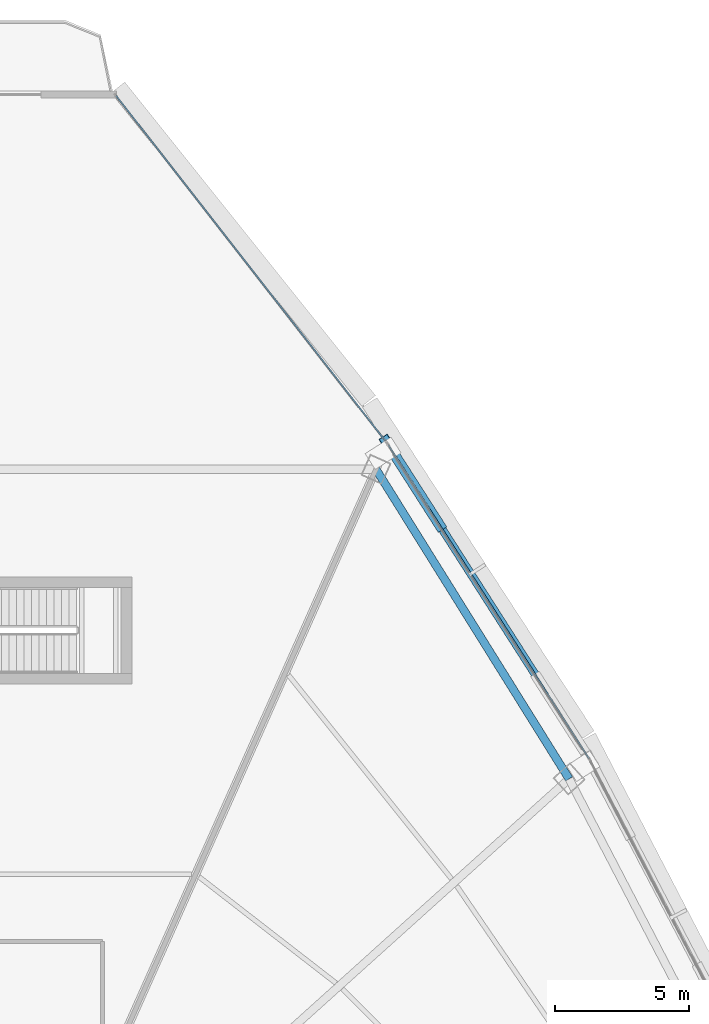
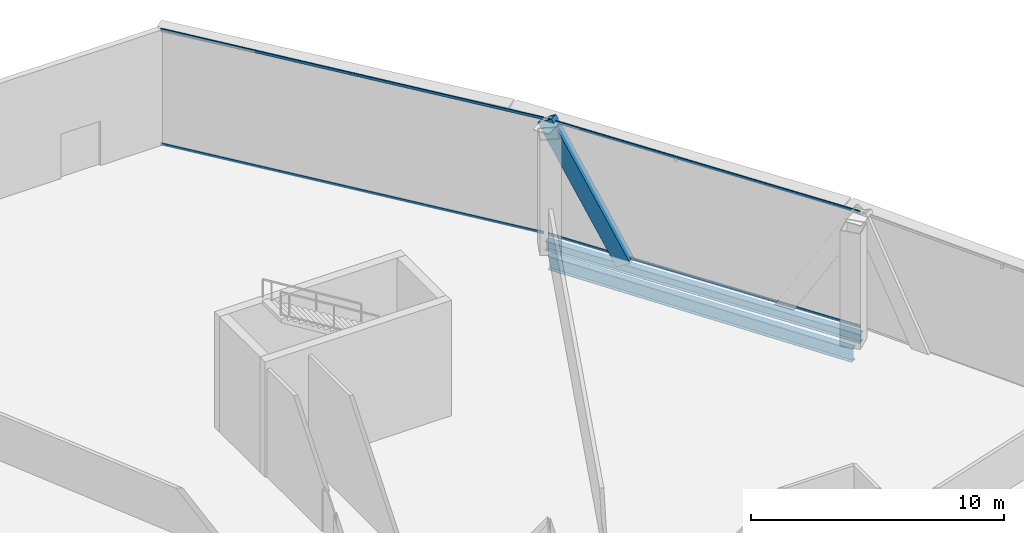
# One storey, part 25 of 38: 5 members, 2 beams, 2 elements without a shape of their own.
"""IFC4 building model written with IfcOpenShell, lengths in metres."""

from ifc_helpers import new_model, si_unit, direction, frame, origin, origin_2d, place, context, subcontext, project, spatial, hollow_rectangle, i_section, extrude, source, transform, mapped, material, layer, layer_set, material_profile, profile_set, type_object, element, aggregate, save


model = new_model("IFC4")

# Units and contexts
model_context = context("Model", 3, precision=1e-05, world=origin(), true_north=direction((0.0, 1.0)))
body_context = subcontext(model_context, "Body", "Model", "MODEL_VIEW")
ifc_project = project(units=[si_unit("LENGTHUNIT", "METRE"), si_unit("AREAUNIT", "SQUARE_METRE"), si_unit("VOLUMEUNIT", "CUBIC_METRE"), si_unit("PLANEANGLEUNIT", "RADIAN"), si_unit("MASSUNIT", "GRAM", prefix="KILO"), si_unit("THERMODYNAMICTEMPERATUREUNIT", "KELVIN"), si_unit("POWERUNIT", "WATT")], contexts=[model_context])

# Site, building, storey
site_placement = place(None, origin())
site = spatial("IfcSite", under=ifc_project, at=site_placement, CompositionType="ELEMENT")
building_placement = place(site_placement, origin())
building = spatial("IfcBuilding", under=site, at=building_placement, Name="Yunzhuo Pagoda Commons", CompositionType="ELEMENT")
storey_placement = place(building_placement, frame((0.0, 0.0, 266.909912109375)))
storey = spatial("IfcBuildingStorey", under=building, at=storey_placement, Name="L67", CompositionType="ELEMENT", Elevation=266.909912109375)

# Beams
ifc_material_1 = material(Name="Structural steel Q355B", Category="steel")
ifc_material_profile_1 = material_profile(ifc_material_1, i_section(OverallWidth=0.300048828125, OverallDepth=0.64990234375, WebThickness=0.012939453125, FlangeThickness=0.02197265625, at=origin_2d()), Name="Structural steel Q355B")
ifc_profile_set_1 = profile_set([ifc_material_profile_1], Name="Structural steel Q355B")
beam_type_1 = type_object("IfcBeamType", Name="B-RG2 Beam HN 650x300x13x22", PredefinedType="BEAM", material=ifc_profile_set_1)
shared_shape_1 = source(origin(), body_context, "Body", "SweptSolid", [
    extrude(i_section(OverallWidth=0.300048828125, OverallDepth=0.64990234375, WebThickness=0.012939453125, FlangeThickness=0.02197265625, at=origin_2d()), origin(), (0.0, 0.0, 1.0), 13.615478515625),
])
beam_1_placement = place(storey_placement, frame((68.61181640625, 52.259033203125, -0.5849609375), z_axis=(-0.529178300485, 0.848510651846, 0.0), x_axis=(-0.848510651846, -0.529178300485, 0.0)))
element("IfcBeam", 1, at=beam_1_placement, inside=storey, type_object=beam_type_1, Name="L67 column-ring beam 7", PredefinedType="BEAM", context=body_context, shape_type="MappedRepresentation", body=[
    mapped(shared_shape_1, transform((0.0, 0.0, 0.0), scale=1.0)),
])
ifc_material_profile_2 = material_profile(ifc_material_1, i_section(OverallWidth=0.300048828125, OverallDepth=0.43994140625, WebThickness=0.010986328125, FlangeThickness=0.01806640625, at=origin_2d()), Name="Structural steel Q355B")
ifc_profile_set_2 = profile_set([ifc_material_profile_2], Name="Structural steel Q355B")
beam_type_2 = type_object("IfcBeamType", Name="B-SP2 Beam HM 440x300x11x18", PredefinedType="BEAM", material=ifc_profile_set_2)
shared_shape_2 = source(origin(), body_context, "Body", "SweptSolid", [
    extrude(i_section(OverallWidth=0.300048828125, OverallDepth=0.43994140625, WebThickness=0.010986328125, FlangeThickness=0.01806640625, at=origin_2d()), origin(), (0.0, 0.0, 1.0), 14.02099609375),
])
beam_2_placement = place(storey_placement, frame((69.39208984375, 52.961669921875, -0.47998046875), z_axis=(-0.53907296662, 0.842259067425, 0.0), x_axis=(-0.842259067425, -0.53907296662, 0.0)))
element("IfcBeam", 2, at=beam_2_placement, inside=storey, type_object=beam_type_2, Name="L67 facade edge spandrel beam F2.3", PredefinedType="BEAM", context=body_context, shape_type="MappedRepresentation", body=[
    mapped(shared_shape_2, transform((0.0, 0.0, 0.0), scale=1.0)),
])

# Member
ifc_material_profile_3 = material_profile(ifc_material_1, hollow_rectangle(XDim=0.3798828125, YDim=0.719970703125, WallThickness=0.02001953125, at=origin_2d()), Name="Structural steel Q355B")
ifc_profile_set_3 = profile_set([ifc_material_profile_3], Name="Structural steel Q355B")
member_type_1 = type_object("IfcMemberType", Name="M-DL3 Brace BOX 720x380x20", PredefinedType="BRACE", material=ifc_profile_set_3)
shared_shape_3 = source(origin(), body_context, "Body", "SweptSolid", [
    extrude(hollow_rectangle(XDim=0.3798828125, YDim=0.719970703125, WallThickness=0.02001953125, at=origin_2d()), origin(), (0.0, 0.0, 1.0), 6.802734375),
])
member_1_placement = place(storey_placement, frame((63.723388671875, 61.81884765625, -0.260009765625), z_axis=(-0.277773533048, 0.433958341294, 0.857042602418), x_axis=(-0.842235979724, -0.539109037634, 0.0)))
element("IfcMember", 3, at=member_1_placement, inside=storey, type_object=member_type_1, Name="L67 facade diamond brace F2.3R", PredefinedType="BRACE", context=body_context, shape_type="MappedRepresentation", body=[
    mapped(shared_shape_3, transform((0.0, 0.0, 0.0), scale=1.0)),
])

# Curtain wall, members
ifc_material_2 = material(Name="Anodized aluminium 6063-T6", Category="aluminium")
ifc_layer = layer(ifc_material_2, 0.139892578125)
ifc_layer_set = layer_set([ifc_layer], Name="Anodized aluminium 6063-T6")
curtain_wall_type = type_object("IfcCurtainWallType", Name="CW-HI High-Zone Ribbon Curtain Wall", PredefinedType="NOTDEFINED", material=ifc_layer_set)
curtain_wall_1_placement = place(storey_placement, origin())
curtain_wall_1 = element("IfcCurtainWall", 4, at=curtain_wall_1_placement, inside=storey, type_object=curtain_wall_type, Name="L67 curtain wall CW-L67-F2B4", PredefinedType="NOTDEFINED")
ifc_material_profile_4 = material_profile(ifc_material_2, hollow_rectangle(XDim=0.054931640625, YDim=0.1201171875, WallThickness=0.00341796875, at=origin_2d()), Name="Anodized aluminium 6063-T6")
ifc_profile_set_4 = profile_set([ifc_material_profile_4], Name="Anodized aluminium 6063-T6")
member_type_2 = type_object("IfcMemberType", Name="CW-HI-T Transom RHS 120x55x3.5", PredefinedType="USERDEFINED", material=ifc_profile_set_4)
shared_shape_4 = source(origin(), body_context, "Body", "SweptSolid", [
    extrude(hollow_rectangle(XDim=0.054931640625, YDim=0.1201171875, WallThickness=0.00341796875, at=origin_2d()), origin(), (0.0, 0.0, 1.0), 13.901123046875),
])
member_2_placement = place(storey_placement, frame((69.35986328125, 53.01220703125, 0.027587890625), z_axis=(-0.539085093496, 0.84225130571, 0.0), x_axis=(-0.84225130571, -0.539085093496, 0.0)))
member_2 = element("IfcMember", 5, at=member_2_placement, type_object=member_type_2, Name="CW transom 1.1", ObjectType="TRANSOM", PredefinedType="USERDEFINED", context=body_context, shape_type="MappedRepresentation", body=[
    mapped(shared_shape_4, transform((0.0, 0.0, 0.0), scale=1.0)),
])
member_3_placement = place(storey_placement, frame((69.35986328125, 53.01220703125, 5.54248046875), z_axis=(-0.539085093496, 0.84225130571, 0.0), x_axis=(-0.84225130571, -0.539085093496, 0.0)))
member_3 = element("IfcMember", 6, at=member_3_placement, type_object=member_type_2, Name="CW transom 1.2", ObjectType="TRANSOM", PredefinedType="USERDEFINED", context=body_context, shape_type="MappedRepresentation", body=[
    mapped(shared_shape_4, transform((0.0, 0.0, 0.0), scale=1.0)),
])
aggregate(curtain_wall_1, [member_2, member_3])

curtain_wall_2_placement = place(storey_placement, origin())
curtain_wall_2 = element("IfcCurtainWall", 7, at=curtain_wall_2_placement, inside=storey, type_object=curtain_wall_type, Name="L67 curtain wall CW-L67-F2B5", PredefinedType="NOTDEFINED")
shared_shape_5 = source(origin(), body_context, "Body", "SweptSolid", [
    extrude(hollow_rectangle(XDim=0.054931640625, YDim=0.1201171875, WallThickness=0.00341796875, at=origin_2d()), origin(), (0.0, 0.0, 1.0), 16.322998046875),
])
member_4_placement = place(storey_placement, frame((61.750732421875, 64.87744140625, 0.027587890625), z_axis=(-0.615057278279, 0.788482431279, 0.0), x_axis=(-0.788482431279, -0.615057278279, 0.0)))
member_4 = element("IfcMember", 8, at=member_4_placement, type_object=member_type_2, Name="CW transom 1.1", ObjectType="TRANSOM", PredefinedType="USERDEFINED", context=body_context, shape_type="MappedRepresentation", body=[
    mapped(shared_shape_5, transform((0.0, 0.0, 0.0), scale=1.0)),
])
member_5_placement = place(storey_placement, frame((61.750732421875, 64.87744140625, 5.54248046875), z_axis=(-0.615057278279, 0.788482431279, 0.0), x_axis=(-0.788482431279, -0.615057278279, 0.0)))
member_5 = element("IfcMember", 9, at=member_5_placement, type_object=member_type_2, Name="CW transom 1.2", ObjectType="TRANSOM", PredefinedType="USERDEFINED", context=body_context, shape_type="MappedRepresentation", body=[
    mapped(shared_shape_5, transform((0.0, 0.0, 0.0), scale=1.0)),
])
aggregate(curtain_wall_2, [member_4, member_5])

save(model, "model.ifc")
